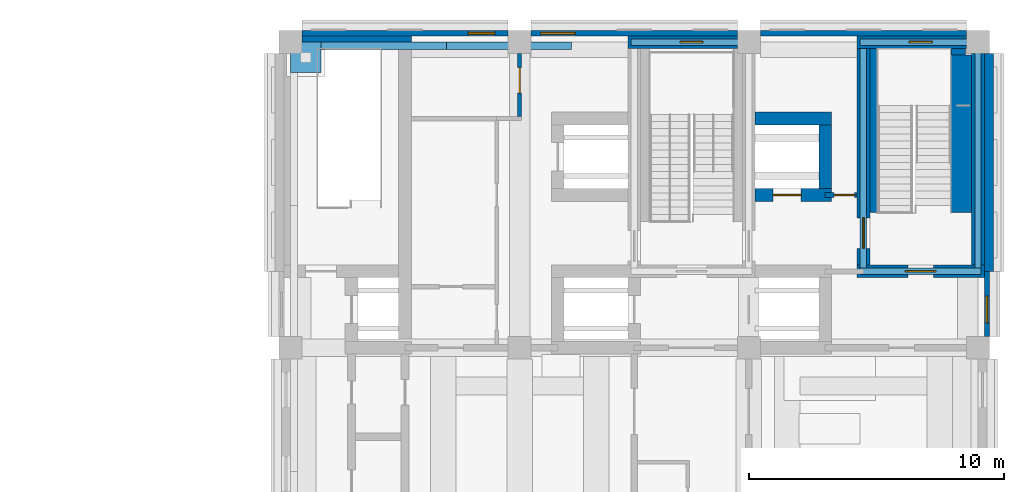
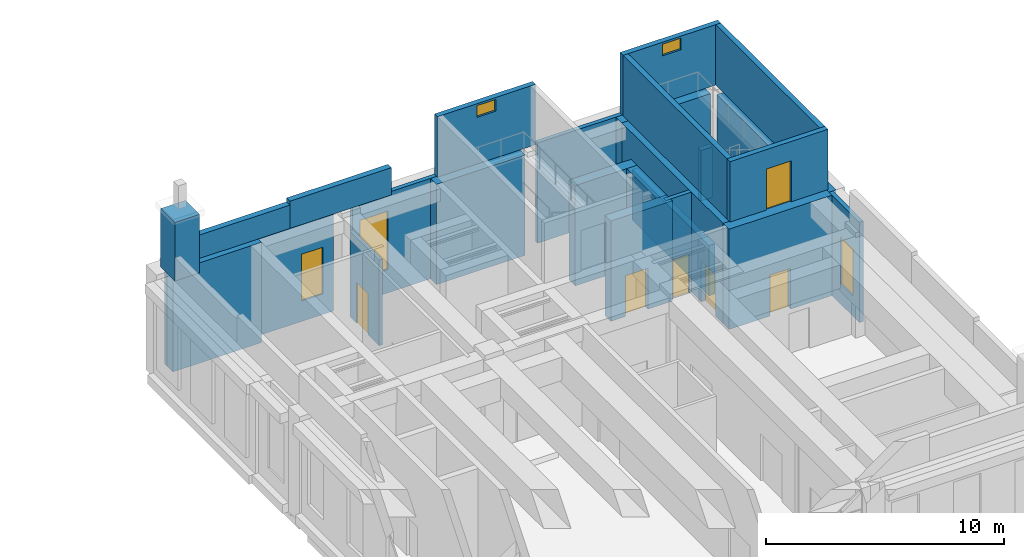
# One storey, part 17 of 22: 27 walls, 6 doors, 5 windows, 11 openings.
"""IFC4 building model written with IfcOpenShell, lengths in metres."""

from ifc_helpers import new_model, si_unit, direction, frame, frame_2d, origin, place, context, subcontext, project, spatial, rectangle, extrude, material, layer, layer_set, type_object, element, fill, save


model = new_model("IFC4")

# Units and contexts
model_context = context("Model", 3, precision=1e-05, world=origin(), true_north=direction((0.0, 1.0)))
body_context = subcontext(model_context, "Body", "Model", "MODEL_VIEW")
ifc_project = project(units=[si_unit("LENGTHUNIT", "METRE"), si_unit("AREAUNIT", "SQUARE_METRE"), si_unit("VOLUMEUNIT", "CUBIC_METRE"), si_unit("PLANEANGLEUNIT", "RADIAN"), si_unit("MASSUNIT", "GRAM", prefix="KILO")], contexts=[model_context])

# Site, building, storey
site_placement = place(None, origin())
site = spatial("IfcSite", under=ifc_project, at=site_placement, CompositionType="ELEMENT")
building_placement = place(site_placement, origin())
building = spatial("IfcBuilding", under=site, at=building_placement, Name="Aurelan Courthouse", CompositionType="ELEMENT")
storey_placement = place(building_placement, frame((0.0, 0.0, 39.0)))
storey = spatial("IfcBuildingStorey", under=building, at=storey_placement, Name="L07", CompositionType="ELEMENT", Elevation=39.0)

# Walls
ifc_material_1 = material(Name="Limestone cladding", Category="masonry")
ifc_layer_1 = layer(ifc_material_1, 0.280029296875)
ifc_layer_set_1 = layer_set([ifc_layer_1], Name="Limestone cladding")
wall_type_1 = type_object("IfcWallType", Name="CR2 crown parapet 280 x 1200", PredefinedType="PARAPET", material=ifc_layer_set_1)
wall_1_placement = place(storey_placement, frame((37.199951171875, 65.860107421875, 5.39990234375), z_axis=(0.0, 0.0, 1.0), x_axis=(1.0, 0.0, 0.0)))
element("IfcWall", 1, at=wall_1_placement, inside=storey, type_object=wall_type_1, Name="Crown parapet CR2-PA06", PredefinedType="PARAPET", context=body_context, shape_type="SweptSolid", body=[
    extrude(rectangle(XDim=4.920166015625, YDim=0.280029296875, at=frame_2d((2.4599609375, 0.0))), origin(), (0.0, 0.0, 1.0), 1.2001953125),
])
ifc_layer_2 = layer(ifc_material_1, 0.280029296875)
ifc_layer_set_2 = layer_set([ifc_layer_2], Name="Limestone cladding")
wall_type_2 = type_object("IfcWallType", Name="CR2 crown parapet 280 x 1400", PredefinedType="PARAPET", material=ifc_layer_set_2)
wall_2_placement = place(storey_placement, frame((42.1201171875, 65.860107421875, 5.39990234375), z_axis=(0.0, 0.0, 1.0), x_axis=(1.0, 0.0, 0.0)))
element("IfcWall", 2, at=wall_2_placement, inside=storey, type_object=wall_type_2, Name="Crown parapet CR2-PA07", PredefinedType="PARAPET", context=body_context, shape_type="SweptSolid", body=[
    extrude(rectangle(XDim=4.919921875, YDim=0.280029296875, at=frame_2d((2.4599609375, 0.0))), origin(), (0.0, 0.0, 1.0), 1.400146484375),
])

# Wall, opening, door
ifc_material_2 = material(Name="Gypsum board on metal studs")
ifc_layer_3 = layer(ifc_material_2, 0.14990234375)
ifc_layer_set_3 = layer_set([ifc_layer_3], Name="Gypsum board on metal studs")
wall_type_3 = type_object("IfcWallType", Name="Corridor partition 150 EI 60", PredefinedType="PARTITIONING", material=ifc_layer_set_3)
wall_3_placement = place(storey_placement, frame((45.0, 63.074951171875, 0.0), z_axis=(0.0, 0.0, 1.0), x_axis=(0.0, 1.0, 0.0)))
wall_3 = element("IfcWall", 3, at=wall_3_placement, inside=storey, type_object=wall_type_3, Name="Corridor partition L07-039", PredefinedType="PARTITIONING", context=body_context, shape_type="SweptSolid", body=[
    extrude(rectangle(XDim=2.47509765625, YDim=0.14990234375, at=frame_2d((1.237548828125, 0.0))), origin(), (0.0, 0.0, 1.0), 4.39990234375),
])
opening_1_placement = place(wall_3_placement, frame((0.925048828125, 0.0, 0.0)))
opening_1 = element("IfcOpeningElement", 4, at=opening_1_placement, cuts=wall_3, Name="Opening D-L07-028", PredefinedType="OPENING", context=body_context, shape_type="SweptSolid", body=[
    extrude(rectangle(XDim=1.0, YDim=2.10009765625, at=frame_2d((0.5, 1.050048828125))), frame((0.0, 0.0849609375, 0.0), z_axis=(0.0, -1.0, 0.0), x_axis=(1.0, 0.0, 0.0)), (0.0, 0.0, 1.0), 0.169921875),
])
ifc_material_3 = material(Name="Steel", Category="steel")
door_type_1 = type_object("IfcDoorType", Name="Single door 1000 x 2100 FD60", OperationType="SINGLE_SWING_LEFT", PredefinedType="DOOR", material=ifc_material_3)
door_1_placement = place(opening_1_placement, origin())
door_1 = element("IfcDoor", 5, at=door_1_placement, inside=storey, type_object=door_type_1, Name="Single door D-L07-028", OperationType="SINGLE_SWING_LEFT", OverallHeight=2.10009765625, OverallWidth=1.0, PredefinedType="DOOR", context=body_context, shape_type="SweptSolid", body=[
    extrude(rectangle(XDim=1.0, YDim=2.10009765625, at=frame_2d((0.5, 1.050048828125))), frame((0.0, 0.02490234375, 0.0), z_axis=(0.0, -1.0, 0.0), x_axis=(1.0, 0.0, 0.0)), (0.0, 0.0, 1.0), 0.050048828125),
])
fill(opening_1, door_1)

# Wall, opening, window
ifc_layer_4 = layer(ifc_material_1, 0.054931640625, Name="Facing")
ifc_material_4 = material(Name="Ventilated cavity")
ifc_layer_5 = layer(ifc_material_4, 0.02490234375, ventilated=True, Name="Ventilated cavity")
ifc_material_5 = material(Name="Mineral wool insulation")
ifc_layer_6 = layer(ifc_material_5, 0.030029296875, Name="Insulation")
ifc_material_6 = material(Name="Concrete C30", Category="concrete")
ifc_layer_7 = layer(ifc_material_6, 0.090087890625, Name="Structure")
ifc_layer_set_4 = layer_set([ifc_layer_4, ifc_layer_5, ifc_layer_6, ifc_layer_7], Name="Concrete C30")
wall_type_4 = type_object("IfcWallType", Name="Courtroom Block stone-faced wall 200", PredefinedType="SOLIDWALL", material=ifc_layer_set_4)
wall_4_placement = place(storey_placement, frame((36.449951171875, 66.35009765625, 0.0), z_axis=(0.0, 0.0, 1.0), x_axis=(1.0, 0.0, 0.0)))
wall_4 = element("IfcWall", 6, at=wall_4_placement, inside=storey, type_object=wall_type_4, Name="Facade wall FW-V2-L07-004", PredefinedType="SOLIDWALL", context=body_context, shape_type="SweptSolid", body=[
    extrude(rectangle(XDim=8.10009765625, YDim=0.199951171875, at=frame_2d((4.050048828125, 0.0))), origin(), (0.0, 0.0, 1.0), 5.14990234375),
])
opening_2_placement = place(wall_4_placement, frame((6.52490234375, 0.0, 1.050048828125)))
opening_2 = element("IfcOpeningElement", 7, at=opening_2_placement, cuts=wall_4, Name="Opening WN-V2-L07-007", PredefinedType="OPENING", context=body_context, shape_type="SweptSolid", body=[
    extrude(rectangle(XDim=1.050048828125, YDim=2.39990234375, at=frame_2d((0.52490234375, 1.199951171875))), frame((0.0, 0.10986328125, 0.0), z_axis=(0.0, -1.0, 0.0), x_axis=(1.0, 0.0, 0.0)), (0.0, 0.0, 1.0), 0.219970703125),
])
ifc_material_7 = material(Name="Bronze-finished aluminium and glass", Category="aluminium")
window_type_1 = type_object("IfcWindowType", Name="Courtroom Block window 1050 x 2400, sill 1050", PartitioningType="SINGLE_PANEL", PredefinedType="WINDOW", material=ifc_material_7)
window_1_placement = place(opening_2_placement, origin())
window_1 = element("IfcWindow", 8, at=window_1_placement, inside=storey, type_object=window_type_1, Name="Window WN-V2-L07-007", OverallHeight=2.39990234375, OverallWidth=1.050048828125, PartitioningType="SINGLE_PANEL", PredefinedType="WINDOW", context=body_context, shape_type="SweptSolid", body=[
    extrude(rectangle(XDim=1.050048828125, YDim=2.39990234375, at=frame_2d((0.52490234375, 1.199951171875))), frame((0.0, 0.030029296875, 0.0), z_axis=(0.0, -1.0, 0.0), x_axis=(1.0, 0.0, 0.0)), (0.0, 0.0, 1.0), 0.06005859375),
])
fill(opening_2, window_1)

wall_5_placement = place(storey_placement, frame((45.449951171875, 66.35009765625, 0.0), z_axis=(0.0, 0.0, 1.0), x_axis=(1.0, 0.0, 0.0)))
wall_5 = element("IfcWall", 9, at=wall_5_placement, inside=storey, type_object=wall_type_4, Name="Facade wall FW-V2-L07-005", PredefinedType="SOLIDWALL", context=body_context, shape_type="SweptSolid", body=[
    extrude(rectangle(XDim=8.10009765625, YDim=0.199951171875, at=frame_2d((4.050048828125, 0.0))), origin(), (0.0, 0.0, 1.0), 5.14990234375),
])
opening_3_placement = place(wall_5_placement, frame((0.375, 0.0, 1.199951171875)))
opening_3 = element("IfcOpeningElement", 10, at=opening_3_placement, cuts=wall_5, Name="Opening WN-V2-L07-008", PredefinedType="OPENING", context=body_context, shape_type="SweptSolid", body=[
    extrude(rectangle(XDim=1.35009765625, YDim=3.0, at=frame_2d((0.675048828125, 1.5))), frame((0.0, 0.10986328125, 0.0), z_axis=(0.0, -1.0, 0.0), x_axis=(1.0, 0.0, 0.0)), (0.0, 0.0, 1.0), 0.219970703125),
])
window_type_2 = type_object("IfcWindowType", Name="Courtroom Block glazed slot 1350 x 3000, sill 1200", PartitioningType="SINGLE_PANEL", PredefinedType="WINDOW", material=ifc_material_7)
window_2_placement = place(opening_3_placement, origin())
window_2 = element("IfcWindow", 11, at=window_2_placement, inside=storey, type_object=window_type_2, Name="Glazed slot WN-V2-L07-008", OverallHeight=3.0, OverallWidth=1.35009765625, PartitioningType="SINGLE_PANEL", PredefinedType="WINDOW", context=body_context, shape_type="SweptSolid", body=[
    extrude(rectangle(XDim=1.35009765625, YDim=3.0, at=frame_2d((0.675048828125, 1.5))), frame((0.0, 0.030029296875, 0.0), z_axis=(0.0, -1.0, 0.0), x_axis=(1.0, 0.0, 0.0)), (0.0, 0.0, 1.0), 0.06005859375),
])
fill(opening_3, window_2)

# Wall
wall_6_placement = place(storey_placement, frame((54.449951171875, 66.35009765625, 0.0), z_axis=(0.0, 0.0, 1.0), x_axis=(1.0, 0.0, 0.0)))
element("IfcWall", 12, at=wall_6_placement, inside=storey, type_object=wall_type_4, Name="Facade wall FW-V2-L07-006", PredefinedType="SOLIDWALL", context=body_context, shape_type="SweptSolid", body=[
    extrude(rectangle(XDim=8.10009765625, YDim=0.199951171875, at=frame_2d((4.050048828125, 0.0))), origin(), (0.0, 0.0, 1.0), 5.14990234375),
])

# Wall, opening, window
wall_7_placement = place(storey_placement, frame((63.35009765625, 54.449951171875, 0.0), z_axis=(0.0, 0.0, 1.0), x_axis=(0.0, 1.0, 0.0)))
wall_7 = element("IfcWall", 13, at=wall_7_placement, inside=storey, type_object=wall_type_4, Name="Facade wall FW-V2-L07-009", PredefinedType="SOLIDWALL", context=body_context, shape_type="SweptSolid", body=[
    extrude(rectangle(XDim=2.550048828125, YDim=0.199951171875, at=frame_2d((1.27490234375, 0.0))), origin(), (0.0, 0.0, 1.0), 5.14990234375),
])
opening_4_placement = place(wall_7_placement, frame((0.52490234375, 0.0, 1.050048828125)))
opening_4 = element("IfcOpeningElement", 14, at=opening_4_placement, cuts=wall_7, Name="Opening WN-V2-L07-013", PredefinedType="OPENING", context=body_context, shape_type="SweptSolid", body=[
    extrude(rectangle(XDim=1.050048828125, YDim=2.39990234375, at=frame_2d((0.52490234375, 1.199951171875))), frame((0.0, 0.10986328125, 0.0), z_axis=(0.0, -1.0, 0.0), x_axis=(1.0, 0.0, 0.0)), (0.0, 0.0, 1.0), 0.219970703125),
])
window_3_placement = place(opening_4_placement, origin())
window_3 = element("IfcWindow", 15, at=window_3_placement, inside=storey, type_object=window_type_1, Name="Window WN-V2-L07-013", OverallHeight=2.39990234375, OverallWidth=1.050048828125, PartitioningType="SINGLE_PANEL", PredefinedType="WINDOW", context=body_context, shape_type="SweptSolid", body=[
    extrude(rectangle(XDim=1.050048828125, YDim=2.39990234375, at=frame_2d((0.52490234375, 1.199951171875))), frame((0.0, 0.030029296875, 0.0), z_axis=(0.0, -1.0, 0.0), x_axis=(1.0, 0.0, 0.0)), (0.0, 0.0, 1.0), 0.06005859375),
])
fill(opening_4, window_3)

# Walls
ifc_layer_8 = layer(ifc_material_1, 0.10009765625, Name="Facing")
ifc_layer_9 = layer(ifc_material_4, 0.02490234375, ventilated=True, Name="Ventilated cavity")
ifc_layer_10 = layer(ifc_material_5, 0.050048828125, Name="Insulation")
ifc_layer_11 = layer(ifc_material_6, 0.175048828125, Name="Structure")
ifc_layer_set_5 = layer_set([ifc_layer_8, ifc_layer_9, ifc_layer_10, ifc_layer_11], Name="Concrete C30")
wall_type_5 = type_object("IfcWallType", Name="Courtroom Block stone-faced wall 350", PredefinedType="SOLIDWALL", material=ifc_layer_set_5)
wall_8_placement = place(storey_placement, frame((63.425048828125, 57.0, 0.0), z_axis=(0.0, 0.0, 1.0), x_axis=(0.0, 1.0, 0.0)))
element("IfcWall", 16, at=wall_8_placement, inside=storey, type_object=wall_type_5, Name="Facade wall FW-V2-L07-010", PredefinedType="SOLIDWALL", context=body_context, shape_type="SweptSolid", body=[
    extrude(rectangle(XDim=8.550048828125, YDim=0.35009765625, at=frame_2d((4.27490234375, 0.0))), origin(), (0.0, 0.0, 1.0), 5.14990234375),
])
ifc_layer_12 = layer(ifc_material_1, 1.199951171875)
ifc_layer_set_6 = layer_set([ifc_layer_12], Name="Limestone cladding")
wall_type_6 = type_object("IfcWallType", Name="Crown pylon 1200 x 3000", PredefinedType="SOLIDWALL", material=ifc_layer_set_6)
wall_9_placement = place(storey_placement, frame((36.0, 65.39990234375, 5.39990234375), z_axis=(0.0, 0.0, 1.0), x_axis=(1.0, 0.0, 0.0)))
element("IfcWall", 17, at=wall_9_placement, inside=storey, type_object=wall_type_6, Name="Crown pylon CR2-PY-NW", PredefinedType="SOLIDWALL", context=body_context, shape_type="SweptSolid", body=[
    extrude(rectangle(XDim=1.199951171875, YDim=1.199951171875, at=frame_2d((0.60009765625, 0.0))), origin(), (0.0, 0.0, 1.0), 3.0),
])

# Wall, opening, window
ifc_material_8 = material(Name="Concrete C40", Category="concrete")
ifc_layer_13 = layer(ifc_material_8, 0.25)
ifc_layer_set_7 = layer_set([ifc_layer_13], Name="Concrete C40")
wall_type_7 = type_object("IfcWallType", Name="Head house wall 250 x 3100", PredefinedType="SOLIDWALL", material=ifc_layer_set_7)
wall_10_placement = place(storey_placement, frame((49.375, 66.0, 5.39990234375), z_axis=(0.0, 0.0, 1.0), x_axis=(1.0, 0.0, 0.0)))
wall_10 = element("IfcWall", 18, at=wall_10_placement, inside=storey, type_object=wall_type_7, Name="Head house wall HH-ST-2A-N", PredefinedType="SOLIDWALL", context=body_context, shape_type="SweptSolid", body=[
    extrude(rectangle(XDim=4.75, YDim=0.25, at=frame_2d((2.375, 0.0))), origin(), (0.0, 0.0, 1.0), 3.10009765625),
])
opening_5_placement = place(wall_10_placement, frame((1.925048828125, 0.0, 2.39990234375)))
opening_5 = element("IfcOpeningElement", 19, at=opening_5_placement, cuts=wall_10, Name="Opening HL-ST-2A", PredefinedType="OPENING", context=body_context, shape_type="SweptSolid", body=[
    extrude(rectangle(XDim=0.89990234375, YDim=0.60009765625, at=frame_2d((0.449951171875, 0.300048828125))), frame((0.0, 0.135009765625, 0.0), z_axis=(0.0, -1.0, 0.0), x_axis=(1.0, 0.0, 0.0)), (0.0, 0.0, 1.0), 0.27001953125),
])
ifc_material_9 = material(Name="Bronze-finished aluminium louvre", Category="aluminium")
window_type_3 = type_object("IfcWindowType", Name="Head house louvre 900 x 600", PartitioningType="SINGLE_PANEL", PredefinedType="WINDOW", material=ifc_material_9)
window_4_placement = place(opening_5_placement, origin())
window_4 = element("IfcWindow", 20, at=window_4_placement, inside=storey, type_object=window_type_3, Name="Head house louvre HL-ST-2A", OverallHeight=0.60009765625, OverallWidth=0.89990234375, PartitioningType="SINGLE_PANEL", PredefinedType="WINDOW", context=body_context, shape_type="SweptSolid", body=[
    extrude(rectangle(XDim=0.89990234375, YDim=0.60009765625, at=frame_2d((0.449951171875, 0.300048828125))), frame((0.0, 0.030029296875, 0.0), z_axis=(0.0, -1.0, 0.0), x_axis=(1.0, 0.0, 0.0)), (0.0, 0.0, 1.0), 0.06005859375),
])
fill(opening_5, window_4)

# Wall, opening, door
wall_11_placement = place(storey_placement, frame((58.375, 57.0, 5.39990234375), z_axis=(0.0, 0.0, 1.0), x_axis=(1.0, 0.0, 0.0)))
wall_11 = element("IfcWall", 21, at=wall_11_placement, inside=storey, type_object=wall_type_7, Name="Head house wall HH-ST-2E-S", PredefinedType="SOLIDWALL", context=body_context, shape_type="SweptSolid", body=[
    extrude(rectangle(XDim=4.75, YDim=0.25, at=frame_2d((2.375, 0.0))), origin(), (0.0, 0.0, 1.0), 3.10009765625),
])
opening_6_placement = place(wall_11_placement, frame((2.974853515625, 0.0, 0.0), z_axis=(0.0, 0.0, 1.0), x_axis=(-1.0, 0.0, 0.0)))
opening_6 = element("IfcOpeningElement", 22, at=opening_6_placement, cuts=wall_11, Name="Opening RAD-V2-2", PredefinedType="OPENING", context=body_context, shape_type="SweptSolid", body=[
    extrude(rectangle(XDim=1.199951171875, YDim=2.10009765625, at=frame_2d((0.60009765625, 1.050048828125))), frame((0.0, 0.135009765625, 0.0), z_axis=(0.0, -1.0, 0.0), x_axis=(1.0, 0.0, 0.0)), (0.0, 0.0, 1.0), 0.27001953125),
])
ifc_material_10 = material(Name="Bronze-clad timber", Category="wood")
door_type_2 = type_object("IfcDoorType", Name="Bronze single door 1200 x 2100", OperationType="SINGLE_SWING_LEFT", PredefinedType="DOOR", material=ifc_material_10)
door_2_placement = place(opening_6_placement, origin())
door_2 = element("IfcDoor", 23, at=door_2_placement, inside=storey, type_object=door_type_2, Name="Roof access door RAD-V2-2", OperationType="SINGLE_SWING_LEFT", OverallHeight=2.10009765625, OverallWidth=1.199951171875, PredefinedType="DOOR", context=body_context, shape_type="SweptSolid", body=[
    extrude(rectangle(XDim=1.199951171875, YDim=2.10009765625, at=frame_2d((0.60009765625, 1.050048828125))), frame((0.0, 0.02490234375, 0.0), z_axis=(0.0, -1.0, 0.0), x_axis=(1.0, 0.0, 0.0)), (0.0, 0.0, 1.0), 0.050048828125),
])
fill(opening_6, door_2)

# Wall, opening, window
wall_12_placement = place(storey_placement, frame((58.375, 66.0, 5.39990234375), z_axis=(0.0, 0.0, 1.0), x_axis=(1.0, 0.0, 0.0)))
wall_12 = element("IfcWall", 24, at=wall_12_placement, inside=storey, type_object=wall_type_7, Name="Head house wall HH-ST-2E-N", PredefinedType="SOLIDWALL", context=body_context, shape_type="SweptSolid", body=[
    extrude(rectangle(XDim=4.75, YDim=0.25, at=frame_2d((2.375, 0.0))), origin(), (0.0, 0.0, 1.0), 3.10009765625),
])
opening_7_placement = place(wall_12_placement, frame((1.925048828125, 0.0, 2.39990234375)))
opening_7 = element("IfcOpeningElement", 25, at=opening_7_placement, cuts=wall_12, Name="Opening HL-ST-2E", PredefinedType="OPENING", context=body_context, shape_type="SweptSolid", body=[
    extrude(rectangle(XDim=0.89990234375, YDim=0.60009765625, at=frame_2d((0.449951171875, 0.300048828125))), frame((0.0, 0.135009765625, 0.0), z_axis=(0.0, -1.0, 0.0), x_axis=(1.0, 0.0, 0.0)), (0.0, 0.0, 1.0), 0.27001953125),
])
window_5_placement = place(opening_7_placement, origin())
window_5 = element("IfcWindow", 26, at=window_5_placement, inside=storey, type_object=window_type_3, Name="Head house louvre HL-ST-2E", OverallHeight=0.60009765625, OverallWidth=0.89990234375, PartitioningType="SINGLE_PANEL", PredefinedType="WINDOW", context=body_context, shape_type="SweptSolid", body=[
    extrude(rectangle(XDim=0.89990234375, YDim=0.60009765625, at=frame_2d((0.449951171875, 0.300048828125))), frame((0.0, 0.030029296875, 0.0), z_axis=(0.0, -1.0, 0.0), x_axis=(1.0, 0.0, 0.0)), (0.0, 0.0, 1.0), 0.06005859375),
])
fill(opening_7, window_5)

# Walls
for number, where, z_axis, x_axis, name in (
    (27, (58.5, 57.125, 5.39990234375), (0.0, 0.0, 1.0), (0.0, 1.0, 0.0), "Head house wall HH-ST-2E-W"),
    (28, (63.0, 57.125, 5.39990234375), (0.0, 0.0, 1.0), (0.0, 1.0, 0.0), "Head house wall HH-ST-2E-E"),
):
    element("IfcWall", number, at=place(storey_placement, frame(where, z_axis=z_axis, x_axis=x_axis)), inside=storey, type_object=wall_type_7, Name=name, PredefinedType="SOLIDWALL", context=body_context, shape_type="SweptSolid", body=[
        extrude(rectangle(XDim=8.75, YDim=0.25, at=frame_2d((4.375, 0.0))), origin(), (0.0, 0.0, 1.0), 3.10009765625),
    ])

# Wall, opening, door
ifc_material_11 = material(Name="Concrete C50", Category="concrete")
ifc_layer_14 = layer(ifc_material_11, 0.5)
ifc_layer_set_8 = layer_set([ifc_layer_14], Name="Concrete C50")
wall_type_8 = type_object("IfcWallType", Name="RC shear wall 500", PredefinedType="SHEAR", material=ifc_layer_set_8)
wall_13_placement = place(storey_placement, frame((58.25, 57.0, 0.0), z_axis=(0.0, 0.0, 1.0), x_axis=(1.0, 0.0, 0.0)))
wall_13 = element("IfcWall", 29, at=wall_13_placement, inside=storey, type_object=wall_type_8, Name="Core wall SW-L07-027", PredefinedType="SHEAR", context=body_context, shape_type="SweptSolid", body=[
    extrude(rectangle(XDim=5.0, YDim=0.5, at=frame_2d((2.5, 0.0))), origin(), (0.0, 0.0, 1.0), 5.14990234375),
])
opening_8_placement = place(wall_13_placement, frame((2.0, 0.0, 0.0)))
opening_8 = element("IfcOpeningElement", 30, at=opening_8_placement, cuts=wall_13, Name="Opening D-L07-030", PredefinedType="OPENING", context=body_context, shape_type="SweptSolid", body=[
    extrude(rectangle(XDim=1.0, YDim=2.10009765625, at=frame_2d((0.5, 1.050048828125))), frame((0.0, 0.260009765625, 0.0), z_axis=(0.0, -1.0, 0.0), x_axis=(1.0, 0.0, 0.0)), (0.0, 0.0, 1.0), 0.52001953125),
])
door_type_3 = type_object("IfcDoorType", Name="Single door 1000 x 2100 FD90", OperationType="SINGLE_SWING_LEFT", PredefinedType="DOOR", material=ifc_material_3)
door_3_placement = place(opening_8_placement, origin())
door_3 = element("IfcDoor", 31, at=door_3_placement, inside=storey, type_object=door_type_3, Name="Single door D-L07-030", OperationType="SINGLE_SWING_LEFT", OverallHeight=2.10009765625, OverallWidth=1.0, PredefinedType="DOOR", context=body_context, shape_type="SweptSolid", body=[
    extrude(rectangle(XDim=1.0, YDim=2.10009765625, at=frame_2d((0.5, 1.050048828125))), frame((0.0, 0.02490234375, 0.0), z_axis=(0.0, -1.0, 0.0), x_axis=(1.0, 0.0, 0.0)), (0.0, 0.0, 1.0), 0.050048828125),
])
fill(opening_8, door_3)

wall_14_placement = place(storey_placement, frame((58.5, 57.25, 0.0), z_axis=(0.0, 0.0, 1.0), x_axis=(0.0, 1.0, 0.0)))
wall_14 = element("IfcWall", 32, at=wall_14_placement, inside=storey, type_object=wall_type_8, Name="Core wall SW-L07-029", PredefinedType="SHEAR", context=body_context, shape_type="SweptSolid", body=[
    extrude(rectangle(XDim=8.5, YDim=0.5, at=frame_2d((4.25, 0.0))), origin(), (0.0, 0.0, 1.0), 5.14990234375),
])
opening_9_placement = place(wall_14_placement, frame((1.849853515625, 0.0, 0.0), z_axis=(0.0, 0.0, 1.0), x_axis=(-1.0, 0.0, 0.0)))
opening_9 = element("IfcOpeningElement", 33, at=opening_9_placement, cuts=wall_14, Name="Opening D-L07-008", PredefinedType="OPENING", context=body_context, shape_type="SweptSolid", body=[
    extrude(rectangle(XDim=1.199951171875, YDim=2.10009765625, at=frame_2d((0.60009765625, 1.050048828125))), frame((0.0, 0.260009765625, 0.0), z_axis=(0.0, -1.0, 0.0), x_axis=(1.0, 0.0, 0.0)), (0.0, 0.0, 1.0), 0.52001953125),
])
door_type_4 = type_object("IfcDoorType", Name="Single door 1200 x 2100 FD90", OperationType="SINGLE_SWING_LEFT", PredefinedType="DOOR", material=ifc_material_3)
door_4_placement = place(opening_9_placement, origin())
door_4 = element("IfcDoor", 34, at=door_4_placement, inside=storey, type_object=door_type_4, Name="Single door D-L07-008", OperationType="SINGLE_SWING_RIGHT", OverallHeight=2.10009765625, OverallWidth=1.199951171875, PredefinedType="DOOR", context=body_context, shape_type="SweptSolid", body=[
    extrude(rectangle(XDim=1.199951171875, YDim=2.10009765625, at=frame_2d((0.60009765625, 1.050048828125))), frame((0.0, 0.02490234375, 0.0), z_axis=(0.0, -1.0, 0.0), x_axis=(1.0, 0.0, 0.0)), (0.0, 0.0, 1.0), 0.050048828125),
])
fill(opening_9, door_4)

# Wall
wall_15_placement = place(storey_placement, frame((63.0, 57.25, 0.0), z_axis=(0.0, 0.0, 1.0), x_axis=(0.0, 1.0, 0.0)))
element("IfcWall", 35, at=wall_15_placement, inside=storey, type_object=wall_type_8, Name="Core wall SW-L07-030", PredefinedType="SHEAR", context=body_context, shape_type="SweptSolid", body=[
    extrude(rectangle(XDim=8.300048828125, YDim=0.5, at=frame_2d((4.14990234375, 0.0))), origin(), (0.0, 0.0, 1.0), 5.14990234375),
])

# Wall, opening, door
wall_16_placement = place(storey_placement, frame((54.25, 60.0, 0.0), z_axis=(0.0, 0.0, 1.0), x_axis=(1.0, 0.0, 0.0)))
wall_16 = element("IfcWall", 36, at=wall_16_placement, inside=storey, type_object=wall_type_8, Name="Core wall SW-L07-032", PredefinedType="SHEAR", context=body_context, shape_type="SweptSolid", body=[
    extrude(rectangle(XDim=3.0, YDim=0.5, at=frame_2d((1.5, 0.0))), origin(), (0.0, 0.0, 1.0), 5.14990234375),
])
opening_10_placement = place(wall_16_placement, frame((0.699951171875, 0.0, 0.0)))
opening_10 = element("IfcOpeningElement", 37, at=opening_10_placement, cuts=wall_16, Name="Opening LD-V2-F1-L07", PredefinedType="OPENING", context=body_context, shape_type="SweptSolid", body=[
    extrude(rectangle(XDim=1.10009765625, YDim=2.10009765625, at=frame_2d((0.550048828125, 1.050048828125))), frame((0.0, 0.260009765625, 0.0), z_axis=(0.0, -1.0, 0.0), x_axis=(1.0, 0.0, 0.0)), (0.0, 0.0, 1.0), 0.52001953125),
])
door_type_5 = type_object("IfcDoorType", Name="Lift landing door 1100 x 2100 FD90", OperationType="SLIDING_TO_LEFT", PredefinedType="DOOR", material=ifc_material_3)
door_5_placement = place(opening_10_placement, origin())
door_5 = element("IfcDoor", 38, at=door_5_placement, inside=storey, type_object=door_type_5, Name="Lift landing door LD-V2-F1-L07", OperationType="SLIDING_TO_LEFT", OverallHeight=2.10009765625, OverallWidth=1.10009765625, PredefinedType="DOOR", context=body_context, shape_type="SweptSolid", body=[
    extrude(rectangle(XDim=1.10009765625, YDim=2.10009765625, at=frame_2d((0.550048828125, 1.050048828125))), frame((0.0, 0.02490234375, 0.0), z_axis=(0.0, -1.0, 0.0), x_axis=(1.0, 0.0, 0.0)), (0.0, 0.0, 1.0), 0.050048828125),
])
fill(opening_10, door_5)

# Walls
wall_17_placement = place(storey_placement, frame((57.0, 60.25, 0.0), z_axis=(0.0, 0.0, 1.0), x_axis=(0.0, 1.0, 0.0)))
element("IfcWall", 39, at=wall_17_placement, inside=storey, type_object=wall_type_8, Name="Core wall SW-L07-034", PredefinedType="SHEAR", context=body_context, shape_type="SweptSolid", body=[
    extrude(rectangle(XDim=2.5, YDim=0.5, at=frame_2d((1.25, 0.0))), origin(), (0.0, 0.0, 1.0), 5.14990234375),
])
wall_18_placement = place(storey_placement, frame((54.25, 63.0, 0.0), z_axis=(0.0, 0.0, 1.0), x_axis=(1.0, 0.0, 0.0)))
element("IfcWall", 40, at=wall_18_placement, inside=storey, type_object=wall_type_8, Name="Core wall SW-L07-036", PredefinedType="SHEAR", context=body_context, shape_type="SweptSolid", body=[
    extrude(rectangle(XDim=3.0, YDim=0.5, at=frame_2d((1.5, 0.0))), origin(), (0.0, 0.0, 1.0), 5.14990234375),
])
for number, where, z_axis, x_axis, name in (
    (41, (36.449951171875, 66.0, 0.0), (0.0, 0.0, 1.0), (1.0, 0.0, 0.0), "Core wall SW-L07-037"),
    (42, (49.25, 66.0, 0.0), (0.0, 0.0, 1.0), (1.0, 0.0, 0.0), "Core wall SW-L07-038"),
    (43, (58.25, 66.0, 0.0), (0.0, 0.0, 1.0), (1.0, 0.0, 0.0), "Core wall SW-L07-039"),
):
    element("IfcWall", number, at=place(storey_placement, frame(where, z_axis=z_axis, x_axis=x_axis)), inside=storey, type_object=wall_type_8, Name=name, PredefinedType="SHEAR", context=body_context, shape_type="SweptSolid", body=[
        extrude(rectangle(XDim=4.300048828125, YDim=0.5, at=frame_2d((2.14990234375, 0.0))), origin(), (0.0, 0.0, 1.0), 5.14990234375),
    ])

# Wall, opening, door
ifc_layer_15 = layer(ifc_material_6, 0.199951171875)
ifc_layer_set_9 = layer_set([ifc_layer_15], Name="Concrete C30")
wall_type_9 = type_object("IfcWallType", Name="Shaft wall 200 EI 120 load-bearing", PredefinedType="SHEAR", material=ifc_layer_set_9)
wall_19_placement = place(storey_placement, frame((57.0, 60.0, 0.0), z_axis=(0.0, 0.0, 1.0), x_axis=(1.0, 0.0, 0.0)))
wall_19 = element("IfcWall", 44, at=wall_19_placement, inside=storey, type_object=wall_type_9, Name="Shaft wall L07-025", PredefinedType="SHEAR", context=body_context, shape_type="SweptSolid", body=[
    extrude(rectangle(XDim=1.25, YDim=0.199951171875, at=frame_2d((0.625, 0.0))), origin(), (0.0, 0.0, 1.0), 5.14990234375),
])
opening_11_placement = place(wall_19_placement, frame((1.150146484375, 0.0, 0.0), z_axis=(0.0, 0.0, 1.0), x_axis=(-1.0, 0.0, 0.0)))
opening_11 = element("IfcOpeningElement", 45, at=opening_11_placement, cuts=wall_19, Name="Opening D-L07-009", PredefinedType="OPENING", context=body_context, shape_type="SweptSolid", body=[
    extrude(rectangle(XDim=0.800048828125, YDim=2.0, at=frame_2d((0.39990234375, 1.0))), frame((0.0, 0.10986328125, 0.0), z_axis=(0.0, -1.0, 0.0), x_axis=(1.0, 0.0, 0.0)), (0.0, 0.0, 1.0), 0.219970703125),
])
door_type_6 = type_object("IfcDoorType", Name="Single door 800 x 2000 FD90", OperationType="SINGLE_SWING_LEFT", PredefinedType="DOOR", material=ifc_material_3)
door_6_placement = place(opening_11_placement, origin())
door_6 = element("IfcDoor", 46, at=door_6_placement, inside=storey, type_object=door_type_6, Name="Single door D-L07-009", OperationType="SINGLE_SWING_LEFT", OverallHeight=2.0, OverallWidth=0.800048828125, PredefinedType="DOOR", context=body_context, shape_type="SweptSolid", body=[
    extrude(rectangle(XDim=0.800048828125, YDim=2.0, at=frame_2d((0.39990234375, 1.0))), frame((0.0, 0.02490234375, 0.0), z_axis=(0.0, -1.0, 0.0), x_axis=(1.0, 0.0, 0.0)), (0.0, 0.0, 1.0), 0.050048828125),
])
fill(opening_11, door_6)

# Walls
ifc_layer_16 = layer(ifc_material_6, 0.2900390625)
ifc_layer_set_10 = layer_set([ifc_layer_16], Name="Concrete C30")
wall_type_10 = type_object("IfcWallType", Name="Stair well wall 290 EI 120 load-bearing", PredefinedType="SHEAR", material=ifc_layer_set_10)
wall_20_placement = place(storey_placement, frame((58.89501953125, 59.31005859375, 0.0), z_axis=(0.0, 0.0, 1.0), x_axis=(0.0, 1.0, 0.0)))
element("IfcWall", 47, at=wall_20_placement, inside=storey, type_object=wall_type_10, Name="Stair well wall ST-2E-L07 A", PredefinedType="SHEAR", context=body_context, shape_type="SweptSolid", body=[
    extrude(rectangle(XDim=6.43994140625, YDim=0.2900390625, at=frame_2d((3.219970703125, 0.0))), origin(), (0.0, 0.0, 1.0), 2.587158203125),
])
ifc_layer_17 = layer(ifc_material_6, 0.56005859375)
ifc_layer_set_11 = layer_set([ifc_layer_17], Name="Concrete C30")
wall_type_11 = type_object("IfcWallType", Name="Stair well wall 560 EI 120 load-bearing", PredefinedType="SHEAR", material=ifc_layer_set_11)
wall_21_placement = place(storey_placement, frame((62.219970703125, 65.5, 0.0), z_axis=(0.0, 0.0, 1.0), x_axis=(0.0, 1.0, 0.0)))
element("IfcWall", 48, at=wall_21_placement, inside=storey, type_object=wall_type_11, Name="Stair well wall ST-2E-L07 B2", PredefinedType="SHEAR", context=body_context, shape_type="SweptSolid", body=[
    extrude(rectangle(XDim=0.25, YDim=0.56005859375, at=frame_2d((0.125, 0.0))), origin(), (0.0, 0.0, 1.0), 2.587158203125),
])
ifc_layer_18 = layer(ifc_material_6, 0.81005859375)
ifc_layer_set_12 = layer_set([ifc_layer_18], Name="Concrete C30")
wall_type_12 = type_object("IfcWallType", Name="Stair well wall 810 EI 120 load-bearing", PredefinedType="SHEAR", material=ifc_layer_set_12)
wall_22_placement = place(storey_placement, frame((62.344970703125, 59.31005859375, 0.0), z_axis=(0.0, 0.0, 1.0), x_axis=(0.0, 1.0, 0.0)))
element("IfcWall", 49, at=wall_22_placement, inside=storey, type_object=wall_type_12, Name="Stair well wall ST-2E-L07 B", PredefinedType="SHEAR", context=body_context, shape_type="SweptSolid", body=[
    extrude(rectangle(XDim=6.18994140625, YDim=0.81005859375, at=frame_2d((3.094970703125, 0.0))), origin(), (0.0, 0.0, 1.0), 2.587158203125),
])

save(model, "model.ifc")
